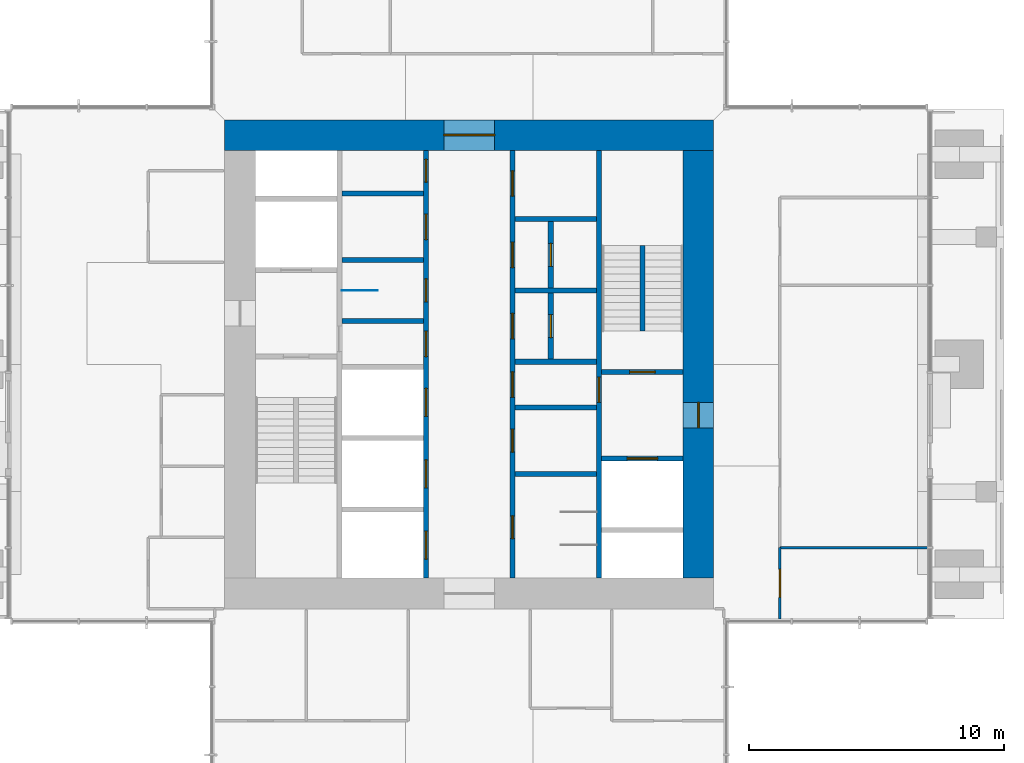
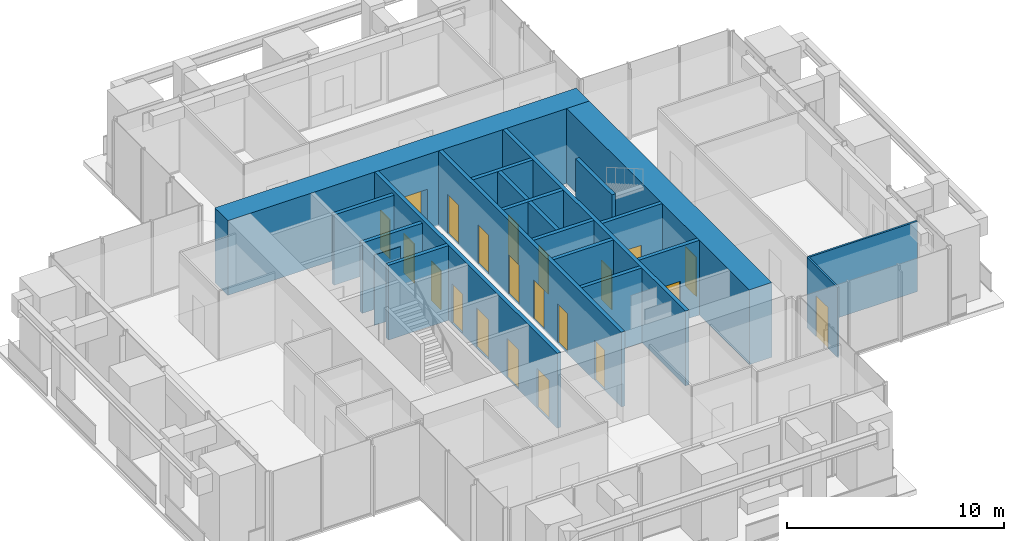
# One storey, part 8 of 12: 21 doors, 21 walls, 21 openings.
"""IFC4 building model written with IfcOpenShell, lengths in metres."""

from ifc_helpers import new_model, si_unit, direction, frame, frame_2d, origin, place, context, subcontext, project, spatial, rectangle, extrude, material, layer, layer_set, type_object, element, fill, save


model = new_model("IFC4")

# Units and contexts
model_context = context("Model", 3, precision=1e-05, world=origin(), true_north=direction((0.0, 1.0)))
body_context = subcontext(model_context, "Body", "Model", "MODEL_VIEW")
ifc_project = project(units=[si_unit("LENGTHUNIT", "METRE"), si_unit("AREAUNIT", "SQUARE_METRE"), si_unit("VOLUMEUNIT", "CUBIC_METRE"), si_unit("PLANEANGLEUNIT", "RADIAN"), si_unit("MASSUNIT", "GRAM", prefix="KILO")], contexts=[model_context])

# Site, building, storey
site_placement = place(None, origin())
site = spatial("IfcSite", under=ifc_project, at=site_placement, CompositionType="ELEMENT")
building_placement = place(site_placement, origin())
building = spatial("IfcBuilding", under=site, at=building_placement, Name="Svetlomir Tower", CompositionType="ELEMENT")
storey_placement = place(building_placement, frame((0.0, 0.0, 252.39990234375)))
storey = spatial("IfcBuildingStorey", under=building, at=storey_placement, Name="L60", CompositionType="ELEMENT", Elevation=252.39990234375)

# Walls
ifc_material_1 = material(Name="Gypsum board on twin steel studs", Category="steel")
ifc_layer_1 = layer(ifc_material_1, 0.199951171875)
ifc_layer_set_1 = layer_set([ifc_layer_1], Name="Gypsum board on twin steel studs")
wall_type_1 = type_object("IfcWallType", Name="ACOUSTIC PARTITION 200", PredefinedType="PARTITIONING", material=ifc_layer_set_1)
for number, where, z_axis, x_axis, name in (
    (1, (16.0, 25.10009765625, 0.0), (0.0, 0.0, 1.0), (1.0, 0.0, 0.0), "Core cell partition 16-19.2/25.1 L60"),
    (2, (16.0, 27.699951171875, 0.0), (0.0, 0.0, 1.0), (1.0, 0.0, 0.0), "Core cell partition 16-19.2/27.7 L60"),
):
    element("IfcWall", number, at=place(storey_placement, frame(where, z_axis=z_axis, x_axis=x_axis)), inside=storey, type_object=wall_type_1, Name=name, PredefinedType="PARTITIONING", context=body_context, shape_type="SweptSolid", body=[
        extrude(rectangle(XDim=3.199951171875, YDim=0.199951171875, at=frame_2d((1.60009765625, 0.0))), origin(), (0.0, 0.0, 1.0), 3.9501953125),
    ])

# Wall, openings, doors
ifc_material_2 = material(Name="Concrete C60/75", Category="concrete")
ifc_layer_2 = layer(ifc_material_2, 0.199951171875)
ifc_layer_set_2 = layer_set([ifc_layer_2], Name="Concrete C60/75")
wall_type_2 = type_object("IfcWallType", Name="CORE INNER WALL 200", PredefinedType="SHEAR", material=ifc_layer_set_2)
wall_1_placement = place(storey_placement, frame((19.300048828125, 12.60009765625, -0.0498046875), z_axis=(0.0, 0.0, 1.0), x_axis=(0.0, 1.0, 0.0)))
wall_1 = element("IfcWall", 3, at=wall_1_placement, inside=storey, type_object=wall_type_2, Name="Core inner wall 19.3 L60", PredefinedType="SHEAR", context=body_context, shape_type="SweptSolid", body=[
    extrude(rectangle(XDim=16.7998046875, YDim=0.199951171875, at=frame_2d((8.39990234375, 0.0))), origin(), (0.0, 0.0, 1.0), 4.199951171875),
])
opening_1_placement = place(wall_1_placement, frame((8.699951171875, 0.0, 0.050048828125)))
opening_1 = element("IfcOpeningElement", 4, at=opening_1_placement, cuts=wall_1, Name="Opening DC", PredefinedType="OPENING", context=body_context, shape_type="SweptSolid", body=[
    extrude(rectangle(XDim=1.0, YDim=2.199951171875, at=frame_2d((0.5, 1.10009765625))), frame((0.0, 0.10986328125, 0.0), z_axis=(0.0, -1.0, 0.0), x_axis=(1.0, 0.0, 0.0)), (0.0, 0.0, 1.0), 0.219970703125),
])
opening_2_placement = place(wall_1_placement, frame((10.85009765625, 0.0, 0.050048828125)))
opening_2 = element("IfcOpeningElement", 5, at=opening_2_placement, cuts=wall_1, Name="Opening DW", PredefinedType="OPENING", context=body_context, shape_type="SweptSolid", body=[
    extrude(rectangle(XDim=0.89990234375, YDim=2.199951171875, at=frame_2d((0.449951171875, 1.10009765625))), frame((0.0, 0.10986328125, 0.0), z_axis=(0.0, -1.0, 0.0), x_axis=(1.0, 0.0, 0.0)), (0.0, 0.0, 1.0), 0.219970703125),
])
opening_3_placement = place(wall_1_placement, frame((13.300048828125, 0.0, 0.050048828125)))
opening_3 = element("IfcOpeningElement", 6, at=opening_3_placement, cuts=wall_1, Name="Opening DC", PredefinedType="OPENING", context=body_context, shape_type="SweptSolid", body=[
    extrude(rectangle(XDim=1.0, YDim=2.199951171875, at=frame_2d((0.5, 1.10009765625))), frame((0.0, 0.10986328125, 0.0), z_axis=(0.0, -1.0, 0.0), x_axis=(1.0, 0.0, 0.0)), (0.0, 0.0, 1.0), 0.219970703125),
])
opening_4_placement = place(wall_1_placement, frame((15.550048828125, 0.0, 0.050048828125)))
opening_4 = element("IfcOpeningElement", 7, at=opening_4_placement, cuts=wall_1, Name="Opening DW", PredefinedType="OPENING", context=body_context, shape_type="SweptSolid", body=[
    extrude(rectangle(XDim=0.89990234375, YDim=2.199951171875, at=frame_2d((0.449951171875, 1.10009765625))), frame((0.0, 0.10986328125, 0.0), z_axis=(0.0, -1.0, 0.0), x_axis=(1.0, 0.0, 0.0)), (0.0, 0.0, 1.0), 0.219970703125),
])
opening_5_placement = place(wall_1_placement, frame((0.75, 0.0, 0.050048828125)))
opening_5 = element("IfcOpeningElement", 8, at=opening_5_placement, cuts=wall_1, Name="Opening LD", PredefinedType="OPENING", context=body_context, shape_type="SweptSolid", body=[
    extrude(rectangle(XDim=1.10009765625, YDim=2.199951171875, at=frame_2d((0.550048828125, 1.10009765625))), frame((0.0, 0.10986328125, 0.0), z_axis=(0.0, -1.0, 0.0), x_axis=(1.0, 0.0, 0.0)), (0.0, 0.0, 1.0), 0.219970703125),
])
opening_6_placement = place(wall_1_placement, frame((3.550048828125, 0.0, 0.050048828125)))
opening_6 = element("IfcOpeningElement", 9, at=opening_6_placement, cuts=wall_1, Name="Opening LD", PredefinedType="OPENING", context=body_context, shape_type="SweptSolid", body=[
    extrude(rectangle(XDim=1.10009765625, YDim=2.199951171875, at=frame_2d((0.550048828125, 1.10009765625))), frame((0.0, 0.10986328125, 0.0), z_axis=(0.0, -1.0, 0.0), x_axis=(1.0, 0.0, 0.0)), (0.0, 0.0, 1.0), 0.219970703125),
])
opening_7_placement = place(wall_1_placement, frame((6.35009765625, 0.0, 0.050048828125)))
opening_7 = element("IfcOpeningElement", 10, at=opening_7_placement, cuts=wall_1, Name="Opening LD", PredefinedType="OPENING", context=body_context, shape_type="SweptSolid", body=[
    extrude(rectangle(XDim=1.10009765625, YDim=2.199951171875, at=frame_2d((0.550048828125, 1.10009765625))), frame((0.0, 0.10986328125, 0.0), z_axis=(0.0, -1.0, 0.0), x_axis=(1.0, 0.0, 0.0)), (0.0, 0.0, 1.0), 0.219970703125),
])
ifc_material_3 = material(Name="Timber fire door", Category="wood")
door_type_1 = type_object("IfcDoorType", Name="DOOR DC 1000x2200", OperationType="SINGLE_SWING_LEFT", PredefinedType="DOOR", material=ifc_material_3)
door_1_placement = place(opening_1_placement, origin())
door_1 = element("IfcDoor", 11, at=door_1_placement, inside=storey, type_object=door_type_1, Name="Core corridor west lobby door L60", OperationType="SINGLE_SWING_LEFT", OverallHeight=2.199951171875, OverallWidth=1.0, PredefinedType="DOOR", context=body_context, shape_type="SweptSolid", body=[
    extrude(rectangle(XDim=1.0, YDim=2.199951171875, at=frame_2d((0.5, 1.10009765625))), frame((0.0, 0.02490234375, 0.0), z_axis=(0.0, -1.0, 0.0), x_axis=(1.0, 0.0, 0.0)), (0.0, 0.0, 1.0), 0.050048828125),
])
fill(opening_1, door_1)
door_2_placement = place(opening_3_placement, origin())
door_2 = element("IfcDoor", 12, at=door_2_placement, inside=storey, type_object=door_type_1, Name="Accessible WC door L60", OperationType="SINGLE_SWING_RIGHT", OverallHeight=2.199951171875, OverallWidth=1.0, PredefinedType="DOOR", context=body_context, shape_type="SweptSolid", body=[
    extrude(rectangle(XDim=1.0, YDim=2.199951171875, at=frame_2d((0.5, 1.10009765625))), frame((0.0, 0.02490234375, 0.0), z_axis=(0.0, -1.0, 0.0), x_axis=(1.0, 0.0, 0.0)), (0.0, 0.0, 1.0), 0.050048828125),
])
fill(opening_3, door_2)
ifc_material_4 = material(Name="Timber fire door", Category="wood")
door_type_2 = type_object("IfcDoorType", Name="DOOR DW 900x2200", OperationType="SINGLE_SWING_LEFT", PredefinedType="DOOR", material=ifc_material_4)
door_3_placement = place(opening_2_placement, origin())
door_3 = element("IfcDoor", 13, at=door_3_placement, inside=storey, type_object=door_type_2, Name="Female WC door L60", OperationType="SINGLE_SWING_LEFT", OverallHeight=2.199951171875, OverallWidth=0.89990234375, PredefinedType="DOOR", context=body_context, shape_type="SweptSolid", body=[
    extrude(rectangle(XDim=0.89990234375, YDim=2.199951171875, at=frame_2d((0.449951171875, 1.10009765625))), frame((0.0, 0.02490234375, 0.0), z_axis=(0.0, -1.0, 0.0), x_axis=(1.0, 0.0, 0.0)), (0.0, 0.0, 1.0), 0.050048828125),
])
fill(opening_2, door_3)
door_4_placement = place(opening_4_placement, origin())
door_4 = element("IfcDoor", 14, at=door_4_placement, inside=storey, type_object=door_type_2, Name="Cleaner's store door L60", OperationType="SINGLE_SWING_LEFT", OverallHeight=2.199951171875, OverallWidth=0.89990234375, PredefinedType="DOOR", context=body_context, shape_type="SweptSolid", body=[
    extrude(rectangle(XDim=0.89990234375, YDim=2.199951171875, at=frame_2d((0.449951171875, 1.10009765625))), frame((0.0, 0.02490234375, 0.0), z_axis=(0.0, -1.0, 0.0), x_axis=(1.0, 0.0, 0.0)), (0.0, 0.0, 1.0), 0.050048828125),
])
fill(opening_4, door_4)
ifc_material_5 = material(Name="Stainless steel landing door", Category="steel")
door_type_3 = type_object("IfcDoorType", Name="LIFT LANDING DOOR LD 1100x2200", OperationType="DOUBLE_DOOR_SLIDING", PredefinedType="DOOR", material=ifc_material_5)
door_5_placement = place(opening_5_placement, origin())
door_5 = element("IfcDoor", 15, at=door_5_placement, inside=storey, type_object=door_type_3, Name="Landing door lift LD1 L60", OperationType="DOUBLE_DOOR_SLIDING", OverallHeight=2.199951171875, OverallWidth=1.10009765625, PredefinedType="DOOR", context=body_context, shape_type="SweptSolid", body=[
    extrude(rectangle(XDim=1.10009765625, YDim=2.199951171875, at=frame_2d((0.550048828125, 1.10009765625))), frame((0.0, 0.02490234375, 0.0), z_axis=(0.0, -1.0, 0.0), x_axis=(1.0, 0.0, 0.0)), (0.0, 0.0, 1.0), 0.050048828125),
])
fill(opening_5, door_5)
door_6_placement = place(opening_6_placement, origin())
door_6 = element("IfcDoor", 16, at=door_6_placement, inside=storey, type_object=door_type_3, Name="Landing door lift LD2 L60", OperationType="DOUBLE_DOOR_SLIDING", OverallHeight=2.199951171875, OverallWidth=1.10009765625, PredefinedType="DOOR", context=body_context, shape_type="SweptSolid", body=[
    extrude(rectangle(XDim=1.10009765625, YDim=2.199951171875, at=frame_2d((0.550048828125, 1.10009765625))), frame((0.0, 0.02490234375, 0.0), z_axis=(0.0, -1.0, 0.0), x_axis=(1.0, 0.0, 0.0)), (0.0, 0.0, 1.0), 0.050048828125),
])
fill(opening_6, door_6)
door_7_placement = place(opening_7_placement, origin())
door_7 = element("IfcDoor", 17, at=door_7_placement, inside=storey, type_object=door_type_3, Name="Landing door lift LD3 L60", OperationType="DOUBLE_DOOR_SLIDING", OverallHeight=2.199951171875, OverallWidth=1.10009765625, PredefinedType="DOOR", context=body_context, shape_type="SweptSolid", body=[
    extrude(rectangle(XDim=1.10009765625, YDim=2.199951171875, at=frame_2d((0.550048828125, 1.10009765625))), frame((0.0, 0.02490234375, 0.0), z_axis=(0.0, -1.0, 0.0), x_axis=(1.0, 0.0, 0.0)), (0.0, 0.0, 1.0), 0.050048828125),
])
fill(opening_7, door_7)

wall_2_placement = place(storey_placement, frame((22.699951171875, 12.60009765625, -0.0498046875), z_axis=(0.0, 0.0, 1.0), x_axis=(0.0, 1.0, 0.0)))
wall_2 = element("IfcWall", 18, at=wall_2_placement, inside=storey, type_object=wall_type_2, Name="Core inner wall 22.7 L60", PredefinedType="SHEAR", context=body_context, shape_type="SweptSolid", body=[
    extrude(rectangle(XDim=16.7998046875, YDim=0.199951171875, at=frame_2d((8.39990234375, 0.0))), origin(), (0.0, 0.0, 1.0), 4.199951171875),
])
opening_8_placement = place(wall_2_placement, frame((7.10009765625, 0.0, 0.050048828125)))
opening_8 = element("IfcOpeningElement", 19, at=opening_8_placement, cuts=wall_2, Name="Opening DC", PredefinedType="OPENING", context=body_context, shape_type="SweptSolid", body=[
    extrude(rectangle(XDim=1.0, YDim=2.199951171875, at=frame_2d((0.5, 1.10009765625))), frame((0.0, 0.10986328125, 0.0), z_axis=(0.0, -1.0, 0.0), x_axis=(1.0, 0.0, 0.0)), (0.0, 0.0, 1.0), 0.219970703125),
])
opening_9_placement = place(wall_2_placement, frame((1.550048828125, 0.0, 0.050048828125)))
opening_9 = element("IfcOpeningElement", 20, at=opening_9_placement, cuts=wall_2, Name="Opening DW", PredefinedType="OPENING", context=body_context, shape_type="SweptSolid", body=[
    extrude(rectangle(XDim=0.89990234375, YDim=2.199951171875, at=frame_2d((0.449951171875, 1.10009765625))), frame((0.0, 0.10986328125, 0.0), z_axis=(0.0, -1.0, 0.0), x_axis=(1.0, 0.0, 0.0)), (0.0, 0.0, 1.0), 0.219970703125),
])
opening_10_placement = place(wall_2_placement, frame((4.949951171875, 0.0, 0.050048828125)))
opening_10 = element("IfcOpeningElement", 21, at=opening_10_placement, cuts=wall_2, Name="Opening DW", PredefinedType="OPENING", context=body_context, shape_type="SweptSolid", body=[
    extrude(rectangle(XDim=0.89990234375, YDim=2.199951171875, at=frame_2d((0.449951171875, 1.10009765625))), frame((0.0, 0.10986328125, 0.0), z_axis=(0.0, -1.0, 0.0), x_axis=(1.0, 0.0, 0.0)), (0.0, 0.0, 1.0), 0.219970703125),
])
opening_11_placement = place(wall_2_placement, frame((9.39990234375, 0.0, 0.050048828125)))
opening_11 = element("IfcOpeningElement", 22, at=opening_11_placement, cuts=wall_2, Name="Opening DC", PredefinedType="OPENING", context=body_context, shape_type="SweptSolid", body=[
    extrude(rectangle(XDim=1.0, YDim=2.199951171875, at=frame_2d((0.5, 1.10009765625))), frame((0.0, 0.10986328125, 0.0), z_axis=(0.0, -1.0, 0.0), x_axis=(1.0, 0.0, 0.0)), (0.0, 0.0, 1.0), 0.219970703125),
])
opening_12_placement = place(wall_2_placement, frame((12.199951171875, 0.0, 0.050048828125)))
opening_12 = element("IfcOpeningElement", 23, at=opening_12_placement, cuts=wall_2, Name="Opening DC", PredefinedType="OPENING", context=body_context, shape_type="SweptSolid", body=[
    extrude(rectangle(XDim=1.0, YDim=2.199951171875, at=frame_2d((0.5, 1.10009765625))), frame((0.0, 0.10986328125, 0.0), z_axis=(0.0, -1.0, 0.0), x_axis=(1.0, 0.0, 0.0)), (0.0, 0.0, 1.0), 0.219970703125),
])
opening_13_placement = place(wall_2_placement, frame((15.0, 0.0, 0.050048828125)))
opening_13 = element("IfcOpeningElement", 24, at=opening_13_placement, cuts=wall_2, Name="Opening DC", PredefinedType="OPENING", context=body_context, shape_type="SweptSolid", body=[
    extrude(rectangle(XDim=1.0, YDim=2.199951171875, at=frame_2d((0.5, 1.10009765625))), frame((0.0, 0.10986328125, 0.0), z_axis=(0.0, -1.0, 0.0), x_axis=(1.0, 0.0, 0.0)), (0.0, 0.0, 1.0), 0.219970703125),
])
door_8_placement = place(opening_8_placement, origin())
door_8 = element("IfcDoor", 25, at=door_8_placement, inside=storey, type_object=door_type_1, Name="Core corridor east lobby door L60", OperationType="SINGLE_SWING_RIGHT", OverallHeight=2.199951171875, OverallWidth=1.0, PredefinedType="DOOR", context=body_context, shape_type="SweptSolid", body=[
    extrude(rectangle(XDim=1.0, YDim=2.199951171875, at=frame_2d((0.5, 1.10009765625))), frame((0.0, 0.02490234375, 0.0), z_axis=(0.0, -1.0, 0.0), x_axis=(1.0, 0.0, 0.0)), (0.0, 0.0, 1.0), 0.050048828125),
])
fill(opening_8, door_8)
door_9_placement = place(opening_11_placement, origin())
door_9 = element("IfcDoor", 26, at=door_9_placement, inside=storey, type_object=door_type_1, Name="Converted shaft BANK-E1 room door L60", OperationType="SINGLE_SWING_RIGHT", OverallHeight=2.199951171875, OverallWidth=1.0, PredefinedType="DOOR", context=body_context, shape_type="SweptSolid", body=[
    extrude(rectangle(XDim=1.0, YDim=2.199951171875, at=frame_2d((0.5, 1.10009765625))), frame((0.0, 0.02490234375, 0.0), z_axis=(0.0, -1.0, 0.0), x_axis=(1.0, 0.0, 0.0)), (0.0, 0.0, 1.0), 0.050048828125),
])
fill(opening_11, door_9)
door_10_placement = place(opening_12_placement, origin())
door_10 = element("IfcDoor", 27, at=door_10_placement, inside=storey, type_object=door_type_1, Name="Converted shaft BANK-E2 room door L60", OperationType="SINGLE_SWING_RIGHT", OverallHeight=2.199951171875, OverallWidth=1.0, PredefinedType="DOOR", context=body_context, shape_type="SweptSolid", body=[
    extrude(rectangle(XDim=1.0, YDim=2.199951171875, at=frame_2d((0.5, 1.10009765625))), frame((0.0, 0.02490234375, 0.0), z_axis=(0.0, -1.0, 0.0), x_axis=(1.0, 0.0, 0.0)), (0.0, 0.0, 1.0), 0.050048828125),
])
fill(opening_12, door_10)
door_11_placement = place(opening_13_placement, origin())
door_11 = element("IfcDoor", 28, at=door_11_placement, inside=storey, type_object=door_type_1, Name="Converted shaft BANK-E3 room door L60", OperationType="SINGLE_SWING_RIGHT", OverallHeight=2.199951171875, OverallWidth=1.0, PredefinedType="DOOR", context=body_context, shape_type="SweptSolid", body=[
    extrude(rectangle(XDim=1.0, YDim=2.199951171875, at=frame_2d((0.5, 1.10009765625))), frame((0.0, 0.02490234375, 0.0), z_axis=(0.0, -1.0, 0.0), x_axis=(1.0, 0.0, 0.0)), (0.0, 0.0, 1.0), 0.050048828125),
])
fill(opening_13, door_11)
door_12_placement = place(opening_9_placement, origin())
door_12 = element("IfcDoor", 29, at=door_12_placement, inside=storey, type_object=door_type_2, Name="Male WC door L60", OperationType="SINGLE_SWING_RIGHT", OverallHeight=2.199951171875, OverallWidth=0.89990234375, PredefinedType="DOOR", context=body_context, shape_type="SweptSolid", body=[
    extrude(rectangle(XDim=0.89990234375, YDim=2.199951171875, at=frame_2d((0.449951171875, 1.10009765625))), frame((0.0, 0.02490234375, 0.0), z_axis=(0.0, -1.0, 0.0), x_axis=(1.0, 0.0, 0.0)), (0.0, 0.0, 1.0), 0.050048828125),
])
fill(opening_9, door_12)
door_13_placement = place(opening_10_placement, origin())
door_13 = element("IfcDoor", 30, at=door_13_placement, inside=storey, type_object=door_type_2, Name="Comms room door L60", OperationType="SINGLE_SWING_LEFT", OverallHeight=2.199951171875, OverallWidth=0.89990234375, PredefinedType="DOOR", context=body_context, shape_type="SweptSolid", body=[
    extrude(rectangle(XDim=0.89990234375, YDim=2.199951171875, at=frame_2d((0.449951171875, 1.10009765625))), frame((0.0, 0.02490234375, 0.0), z_axis=(0.0, -1.0, 0.0), x_axis=(1.0, 0.0, 0.0)), (0.0, 0.0, 1.0), 0.050048828125),
])
fill(opening_10, door_13)

# Wall, opening, door
wall_3_placement = place(storey_placement, frame((26.10009765625, 12.60009765625, -0.0498046875), z_axis=(0.0, 0.0, 1.0), x_axis=(0.0, 1.0, 0.0)))
wall_3 = element("IfcWall", 31, at=wall_3_placement, inside=storey, type_object=wall_type_2, Name="Core inner wall 26.1 L60", PredefinedType="SHEAR", context=body_context, shape_type="SweptSolid", body=[
    extrude(rectangle(XDim=16.7998046875, YDim=0.199951171875, at=frame_2d((8.39990234375, 0.0))), origin(), (0.0, 0.0, 1.0), 4.199951171875),
])
opening_14_placement = place(wall_3_placement, frame((6.89990234375, 0.0, 0.050048828125)))
opening_14 = element("IfcOpeningElement", 32, at=opening_14_placement, cuts=wall_3, Name="Opening DF", PredefinedType="OPENING", context=body_context, shape_type="SweptSolid", body=[
    extrude(rectangle(XDim=1.0, YDim=2.199951171875, at=frame_2d((0.5, 1.10009765625))), frame((0.0, 0.10986328125, 0.0), z_axis=(0.0, -1.0, 0.0), x_axis=(1.0, 0.0, 0.0)), (0.0, 0.0, 1.0), 0.219970703125),
])
ifc_material_6 = material(Name="Steel fire door", Category="steel")
door_type_4 = type_object("IfcDoorType", Name="DOOR DF 1000x2200", OperationType="SINGLE_SWING_LEFT", PredefinedType="DOOR", material=ifc_material_6)
door_14_placement = place(opening_14_placement, origin())
door_14 = element("IfcDoor", 33, at=door_14_placement, inside=storey, type_object=door_type_4, Name="Core corridor east door L60", OperationType="SINGLE_SWING_LEFT", OverallHeight=2.199951171875, OverallWidth=1.0, PredefinedType="DOOR", context=body_context, shape_type="SweptSolid", body=[
    extrude(rectangle(XDim=1.0, YDim=2.199951171875, at=frame_2d((0.5, 1.10009765625))), frame((0.0, 0.02490234375, 0.0), z_axis=(0.0, -1.0, 0.0), x_axis=(1.0, 0.0, 0.0)), (0.0, 0.0, 1.0), 0.050048828125),
])
fill(opening_14, door_14)

# Walls
for number, where, z_axis, x_axis, name in (
    (34, (16.0, 22.699951171875, -0.0498046875), (0.0, 0.0, 1.0), (1.0, 0.0, 0.0), "Core inner wall 16-19.2/22.7 L60"),
    (35, (22.800048828125, 16.699951171875, -0.0498046875), (0.0, 0.0, 1.0), (1.0, 0.0, 0.0), "Core inner wall 22.8-26/16.7 L60"),
    (36, (22.800048828125, 19.300048828125, -0.0498046875), (0.0, 0.0, 1.0), (1.0, 0.0, 0.0), "Core inner wall 22.8-26/19.3 L60"),
    (37, (22.800048828125, 21.10009765625, -0.0498046875), (0.0, 0.0, 1.0), (1.0, 0.0, 0.0), "Core inner wall 22.8-26/21.1 L60"),
    (38, (22.800048828125, 23.89990234375, -0.0498046875), (0.0, 0.0, 1.0), (1.0, 0.0, 0.0), "Core inner wall 22.8-26/23.9 L60"),
    (39, (22.800048828125, 26.699951171875, -0.0498046875), (0.0, 0.0, 1.0), (1.0, 0.0, 0.0), "Core inner wall 22.8-26/26.7 L60"),
):
    element("IfcWall", number, at=place(storey_placement, frame(where, z_axis=z_axis, x_axis=x_axis)), inside=storey, type_object=wall_type_2, Name=name, PredefinedType="SHEAR", context=body_context, shape_type="SweptSolid", body=[
        extrude(rectangle(XDim=3.199951171875, YDim=0.199951171875, at=frame_2d((1.60009765625, 0.0))), origin(), (0.0, 0.0, 1.0), 4.199951171875),
    ])

# Wall, opening, door
wall_4_placement = place(storey_placement, frame((26.199951171875, 17.300048828125, -0.0498046875), z_axis=(0.0, 0.0, 1.0), x_axis=(1.0, 0.0, 0.0)))
wall_4 = element("IfcWall", 40, at=wall_4_placement, inside=storey, type_object=wall_type_2, Name="Core inner wall 26.2-29.4/17.3 L60", PredefinedType="SHEAR", context=body_context, shape_type="SweptSolid", body=[
    extrude(rectangle(XDim=3.199951171875, YDim=0.199951171875, at=frame_2d((1.60009765625, 0.0))), origin(), (0.0, 0.0, 1.0), 4.199951171875),
])
opening_15_placement = place(wall_4_placement, frame((1.0, 0.0, 0.050048828125)))
opening_15 = element("IfcOpeningElement", 41, at=opening_15_placement, cuts=wall_4, Name="Opening LD3", PredefinedType="OPENING", context=body_context, shape_type="SweptSolid", body=[
    extrude(rectangle(XDim=1.199951171875, YDim=2.199951171875, at=frame_2d((0.60009765625, 1.10009765625))), frame((0.0, 0.10986328125, 0.0), z_axis=(0.0, -1.0, 0.0), x_axis=(1.0, 0.0, 0.0)), (0.0, 0.0, 1.0), 0.219970703125),
])
ifc_material_7 = material(Name="Stainless steel fire-rated landing door", Category="steel")
door_type_5 = type_object("IfcDoorType", Name="FIREFIGHTING LIFT LANDING DOOR LD3 1200x2200", OperationType="DOUBLE_DOOR_SLIDING", PredefinedType="DOOR", material=ifc_material_7)
door_15_placement = place(opening_15_placement, origin())
door_15 = element("IfcDoor", 42, at=door_15_placement, inside=storey, type_object=door_type_5, Name="Landing door lift FL2 L60", OperationType="DOUBLE_DOOR_SLIDING", OverallHeight=2.199951171875, OverallWidth=1.199951171875, PredefinedType="DOOR", context=body_context, shape_type="SweptSolid", body=[
    extrude(rectangle(XDim=1.199951171875, YDim=2.199951171875, at=frame_2d((0.60009765625, 1.10009765625))), frame((0.0, 0.02490234375, 0.0), z_axis=(0.0, -1.0, 0.0), x_axis=(1.0, 0.0, 0.0)), (0.0, 0.0, 1.0), 0.050048828125),
])
fill(opening_15, door_15)

wall_5_placement = place(storey_placement, frame((26.199951171875, 20.699951171875, -0.0498046875), z_axis=(0.0, 0.0, 1.0), x_axis=(1.0, 0.0, 0.0)))
wall_5 = element("IfcWall", 43, at=wall_5_placement, inside=storey, type_object=wall_type_2, Name="Core inner wall 26.2-29.4/20.7 L60", PredefinedType="SHEAR", context=body_context, shape_type="SweptSolid", body=[
    extrude(rectangle(XDim=3.199951171875, YDim=0.199951171875, at=frame_2d((1.60009765625, 0.0))), origin(), (0.0, 0.0, 1.0), 4.199951171875),
])
opening_16_placement = place(wall_5_placement, frame((1.10009765625, 0.0, 0.050048828125)))
opening_16 = element("IfcOpeningElement", 44, at=opening_16_placement, cuts=wall_5, Name="Opening DF", PredefinedType="OPENING", context=body_context, shape_type="SweptSolid", body=[
    extrude(rectangle(XDim=1.0, YDim=2.199951171875, at=frame_2d((0.5, 1.10009765625))), frame((0.0, 0.10986328125, 0.0), z_axis=(0.0, -1.0, 0.0), x_axis=(1.0, 0.0, 0.0)), (0.0, 0.0, 1.0), 0.219970703125),
])
door_16_placement = place(opening_16_placement, origin())
door_16 = element("IfcDoor", 45, at=door_16_placement, inside=storey, type_object=door_type_4, Name="Stair S2 door L60", OperationType="SINGLE_SWING_RIGHT", OverallHeight=2.199951171875, OverallWidth=1.0, PredefinedType="DOOR", context=body_context, shape_type="SweptSolid", body=[
    extrude(rectangle(XDim=1.0, YDim=2.199951171875, at=frame_2d((0.5, 1.10009765625))), frame((0.0, 0.02490234375, 0.0), z_axis=(0.0, -1.0, 0.0), x_axis=(1.0, 0.0, 0.0)), (0.0, 0.0, 1.0), 0.050048828125),
])
fill(opening_16, door_16)

wall_6_placement = place(storey_placement, frame((24.199951171875, 21.199951171875, -0.0498046875), z_axis=(0.0, 0.0, 1.0), x_axis=(0.0, 1.0, 0.0)))
wall_6 = element("IfcWall", 46, at=wall_6_placement, inside=storey, type_object=wall_type_2, Name="Core inner wall 24.2/21.2-23.8 L60", PredefinedType="SHEAR", context=body_context, shape_type="SweptSolid", body=[
    extrude(rectangle(XDim=2.60009765625, YDim=0.199951171875, at=frame_2d((1.300048828125, 0.0))), origin(), (0.0, 0.0, 1.0), 4.199951171875),
])
opening_17_placement = place(wall_6_placement, frame((0.85009765625, 0.0, 0.050048828125)))
opening_17 = element("IfcOpeningElement", 47, at=opening_17_placement, cuts=wall_6, Name="Opening DW", PredefinedType="OPENING", context=body_context, shape_type="SweptSolid", body=[
    extrude(rectangle(XDim=0.89990234375, YDim=2.199951171875, at=frame_2d((0.449951171875, 1.10009765625))), frame((0.0, 0.10986328125, 0.0), z_axis=(0.0, -1.0, 0.0), x_axis=(1.0, 0.0, 0.0)), (0.0, 0.0, 1.0), 0.219970703125),
])
door_17_placement = place(opening_17_placement, origin())
door_17 = element("IfcDoor", 48, at=door_17_placement, inside=storey, type_object=door_type_2, Name="Converted shaft BANK-E1 back room door L60", OperationType="SINGLE_SWING_LEFT", OverallHeight=2.199951171875, OverallWidth=0.89990234375, PredefinedType="DOOR", context=body_context, shape_type="SweptSolid", body=[
    extrude(rectangle(XDim=0.89990234375, YDim=2.199951171875, at=frame_2d((0.449951171875, 1.10009765625))), frame((0.0, 0.02490234375, 0.0), z_axis=(0.0, -1.0, 0.0), x_axis=(1.0, 0.0, 0.0)), (0.0, 0.0, 1.0), 0.050048828125),
])
fill(opening_17, door_17)

wall_7_placement = place(storey_placement, frame((24.199951171875, 24.0, -0.0498046875), z_axis=(0.0, 0.0, 1.0), x_axis=(0.0, 1.0, 0.0)))
wall_7 = element("IfcWall", 49, at=wall_7_placement, inside=storey, type_object=wall_type_2, Name="Core inner wall 24.2/24-26.6 L60", PredefinedType="SHEAR", context=body_context, shape_type="SweptSolid", body=[
    extrude(rectangle(XDim=2.60009765625, YDim=0.199951171875, at=frame_2d((1.300048828125, 0.0))), origin(), (0.0, 0.0, 1.0), 4.199951171875),
])
opening_18_placement = place(wall_7_placement, frame((0.85009765625, 0.0, 0.050048828125)))
opening_18 = element("IfcOpeningElement", 50, at=opening_18_placement, cuts=wall_7, Name="Opening DW", PredefinedType="OPENING", context=body_context, shape_type="SweptSolid", body=[
    extrude(rectangle(XDim=0.89990234375, YDim=2.199951171875, at=frame_2d((0.449951171875, 1.10009765625))), frame((0.0, 0.10986328125, 0.0), z_axis=(0.0, -1.0, 0.0), x_axis=(1.0, 0.0, 0.0)), (0.0, 0.0, 1.0), 0.219970703125),
])
door_18_placement = place(opening_18_placement, origin())
door_18 = element("IfcDoor", 51, at=door_18_placement, inside=storey, type_object=door_type_2, Name="Converted shaft BANK-E2 back room door L60", OperationType="SINGLE_SWING_LEFT", OverallHeight=2.199951171875, OverallWidth=0.89990234375, PredefinedType="DOOR", context=body_context, shape_type="SweptSolid", body=[
    extrude(rectangle(XDim=0.89990234375, YDim=2.199951171875, at=frame_2d((0.449951171875, 1.10009765625))), frame((0.0, 0.02490234375, 0.0), z_axis=(0.0, -1.0, 0.0), x_axis=(1.0, 0.0, 0.0)), (0.0, 0.0, 1.0), 0.050048828125),
])
fill(opening_18, door_18)

ifc_material_8 = material(Name="Concrete C60/75", Category="concrete")
ifc_layer_3 = layer(ifc_material_8, 1.199951171875)
ifc_layer_set_3 = layer_set([ifc_layer_3], Name="Concrete C60/75")
wall_type_3 = type_object("IfcWallType", Name="CORE WALL 1200", PredefinedType="SHEAR", material=ifc_layer_set_3)
wall_8_placement = place(storey_placement, frame((11.39990234375, 30.0, -0.0498046875), z_axis=(0.0, 0.0, 1.0), x_axis=(1.0, 0.0, 0.0)))
wall_8 = element("IfcWall", 52, at=wall_8_placement, inside=storey, type_object=wall_type_3, Name="Core wall north L60", PredefinedType="SHEAR", context=body_context, shape_type="SweptSolid", body=[
    extrude(rectangle(XDim=19.2001953125, YDim=1.199951171875, at=frame_2d((9.60009765625, 0.0))), origin(), (0.0, 0.0, 1.0), 4.199951171875),
])
opening_19_placement = place(wall_8_placement, frame((8.60009765625, 0.0, 0.050048828125)))
opening_19 = element("IfcOpeningElement", 53, at=opening_19_placement, cuts=wall_8, Name="Opening DL", PredefinedType="OPENING", context=body_context, shape_type="SweptSolid", body=[
    extrude(rectangle(XDim=2.0, YDim=2.199951171875, at=frame_2d((1.0, 1.10009765625))), frame((0.0, 0.60986328125, 0.0), z_axis=(0.0, -1.0, 0.0), x_axis=(1.0, 0.0, 0.0)), (0.0, 0.0, 1.0), 1.219970703125),
])
ifc_material_9 = material(Name="Steel fire door", Category="steel")
door_type_6 = type_object("IfcDoorType", Name="DOOR DL 2000x2200", OperationType="DOUBLE_DOOR_SINGLE_SWING", PredefinedType="DOOR", material=ifc_material_9)
door_19_placement = place(opening_19_placement, origin())
door_19 = element("IfcDoor", 54, at=door_19_placement, inside=storey, type_object=door_type_6, Name="Lift lobby north door L60", OperationType="DOUBLE_DOOR_SINGLE_SWING", OverallHeight=2.199951171875, OverallWidth=2.0, PredefinedType="DOOR", context=body_context, shape_type="SweptSolid", body=[
    extrude(rectangle(XDim=2.0, YDim=2.199951171875, at=frame_2d((1.0, 1.10009765625))), frame((0.0, 0.02490234375, 0.0), z_axis=(0.0, -1.0, 0.0), x_axis=(1.0, 0.0, 0.0)), (0.0, 0.0, 1.0), 0.050048828125),
])
fill(opening_19, door_19)

wall_9_placement = place(storey_placement, frame((30.0, 12.60009765625, -0.0498046875), z_axis=(0.0, 0.0, 1.0), x_axis=(0.0, 1.0, 0.0)))
wall_9 = element("IfcWall", 55, at=wall_9_placement, inside=storey, type_object=wall_type_3, Name="Core wall east L60", PredefinedType="SHEAR", context=body_context, shape_type="SweptSolid", body=[
    extrude(rectangle(XDim=16.7998046875, YDim=1.199951171875, at=frame_2d((8.39990234375, 0.0))), origin(), (0.0, 0.0, 1.0), 4.199951171875),
])
opening_20_placement = place(wall_9_placement, frame((5.89990234375, 0.0, 0.050048828125)))
opening_20 = element("IfcOpeningElement", 56, at=opening_20_placement, cuts=wall_9, Name="Opening DF", PredefinedType="OPENING", context=body_context, shape_type="SweptSolid", body=[
    extrude(rectangle(XDim=1.0, YDim=2.199951171875, at=frame_2d((0.5, 1.10009765625))), frame((0.0, 0.60986328125, 0.0), z_axis=(0.0, -1.0, 0.0), x_axis=(1.0, 0.0, 0.0)), (0.0, 0.0, 1.0), 1.219970703125),
])
door_20_placement = place(opening_20_placement, origin())
door_20 = element("IfcDoor", 57, at=door_20_placement, inside=storey, type_object=door_type_4, Name="Firefighting lobby east door L60", OperationType="SINGLE_SWING_RIGHT", OverallHeight=2.199951171875, OverallWidth=1.0, PredefinedType="DOOR", context=body_context, shape_type="SweptSolid", body=[
    extrude(rectangle(XDim=1.0, YDim=2.199951171875, at=frame_2d((0.5, 1.10009765625))), frame((0.0, 0.02490234375, 0.0), z_axis=(0.0, -1.0, 0.0), x_axis=(1.0, 0.0, 0.0)), (0.0, 0.0, 1.0), 0.050048828125),
])
fill(opening_20, door_20)

ifc_material_10 = material(Name="Framed laminated glass partition", Category="glass")
ifc_layer_4 = layer(ifc_material_10, 0.10009765625)
ifc_layer_set_4 = layer_set([ifc_layer_4], Name="Framed laminated glass partition")
wall_type_4 = type_object("IfcWallType", Name="GLAZED PARTITION 100", PredefinedType="PARTITIONING", material=ifc_layer_set_4)
wall_10_placement = place(storey_placement, frame((33.199951171875, 11.0, 0.0), z_axis=(0.0, 0.0, 1.0), x_axis=(0.0, 1.0, 0.0)))
wall_10 = element("IfcWall", 58, at=wall_10_placement, inside=storey, type_object=wall_type_4, Name="Partition L60", PredefinedType="PARTITIONING", context=body_context, shape_type="SweptSolid", body=[
    extrude(rectangle(XDim=2.800048828125, YDim=0.10009765625, at=frame_2d((1.39990234375, 0.0))), origin(), (0.0, 0.0, 1.0), 3.9501953125),
])
opening_21_placement = place(wall_10_placement, frame((0.85009765625, 0.0, 0.0)))
opening_21 = element("IfcOpeningElement", 59, at=opening_21_placement, cuts=wall_10, Name="Opening DE", PredefinedType="OPENING", context=body_context, shape_type="SweptSolid", body=[
    extrude(rectangle(XDim=1.10009765625, YDim=2.300048828125, at=frame_2d((0.550048828125, 1.14990234375))), frame((0.0, 0.06005859375, 0.0), z_axis=(0.0, -1.0, 0.0), x_axis=(1.0, 0.0, 0.0)), (0.0, 0.0, 1.0), 0.1201171875),
])
ifc_material_11 = material(Name="Walnut veneered timber door", Category="wood")
door_type_7 = type_object("IfcDoorType", Name="DOOR DE 1100x2300", OperationType="SINGLE_SWING_LEFT", PredefinedType="DOOR", material=ifc_material_11)
door_21_placement = place(opening_21_placement, origin())
door_21 = element("IfcDoor", 60, at=door_21_placement, inside=storey, type_object=door_type_7, Name="Executive office - COO door L60", OperationType="SINGLE_SWING_RIGHT", OverallHeight=2.300048828125, OverallWidth=1.10009765625, PredefinedType="DOOR", context=body_context, shape_type="SweptSolid", body=[
    extrude(rectangle(XDim=1.10009765625, YDim=2.300048828125, at=frame_2d((0.550048828125, 1.14990234375))), frame((0.0, 0.02490234375, 0.0), z_axis=(0.0, -1.0, 0.0), x_axis=(1.0, 0.0, 0.0)), (0.0, 0.0, 1.0), 0.050048828125),
])
fill(opening_21, door_21)

# Walls
wall_11_placement = place(storey_placement, frame((33.199951171875, 13.800048828125, 0.0), z_axis=(0.0, 0.0, 1.0), x_axis=(1.0, 0.0, 0.0)))
element("IfcWall", 61, at=wall_11_placement, inside=storey, type_object=wall_type_4, Name="Partition L60", PredefinedType="PARTITIONING", context=body_context, shape_type="SweptSolid", body=[
    extrude(rectangle(XDim=5.800048828125, YDim=0.10009765625, at=frame_2d((2.89990234375, 0.0))), origin(), (0.0, 0.0, 1.0), 3.9501953125),
])
ifc_material_12 = material(Name="Concrete C60/75", Category="concrete")
ifc_layer_5 = layer(ifc_material_12, 0.199951171875)
ifc_layer_set_5 = layer_set([ifc_layer_5], Name="Concrete C60/75")
wall_type_5 = type_object("IfcWallType", Name="STAIR SPINE WALL 200", PredefinedType="PARTITIONING", material=ifc_layer_set_5)
wall_12_placement = place(storey_placement, frame((27.800048828125, 22.300048828125, 0.0), z_axis=(0.0, 0.0, 1.0), x_axis=(0.0, 1.0, 0.0)))
element("IfcWall", 62, at=wall_12_placement, inside=storey, type_object=wall_type_5, Name="Stair S2 spine wall L60", PredefinedType="PARTITIONING", context=body_context, shape_type="SweptSolid", body=[
    extrude(rectangle(XDim=3.35986328125, YDim=0.199951171875, at=frame_2d((1.679931640625, 0.0))), origin(), (0.0, 0.0, 1.0), 4.2001953125),
])
ifc_material_13 = material(Name="Compact laminate panel", Category="plastic")
ifc_layer_6 = layer(ifc_material_13, 0.030029296875)
ifc_layer_set_6 = layer_set([ifc_layer_6], Name="Compact laminate panel")
wall_type_6 = type_object("IfcWallType", Name="WC CUBICLE PARTITION 30", PredefinedType="PARTITIONING", material=ifc_layer_set_6)
wall_13_placement = place(storey_placement, frame((16.0, 23.89990234375, 0.0), z_axis=(0.0, 0.0, 1.0), x_axis=(1.0, 0.0, 0.0)))
element("IfcWall", 63, at=wall_13_placement, inside=storey, type_object=wall_type_6, Name="WC cubicle partition L60", PredefinedType="PARTITIONING", context=body_context, shape_type="SweptSolid", body=[
    extrude(rectangle(XDim=1.39990234375, YDim=0.030029296875, at=frame_2d((0.699951171875, 0.0))), origin(), (0.0, 0.0, 1.0), 3.9501953125),
])

save(model, "model.ifc")
